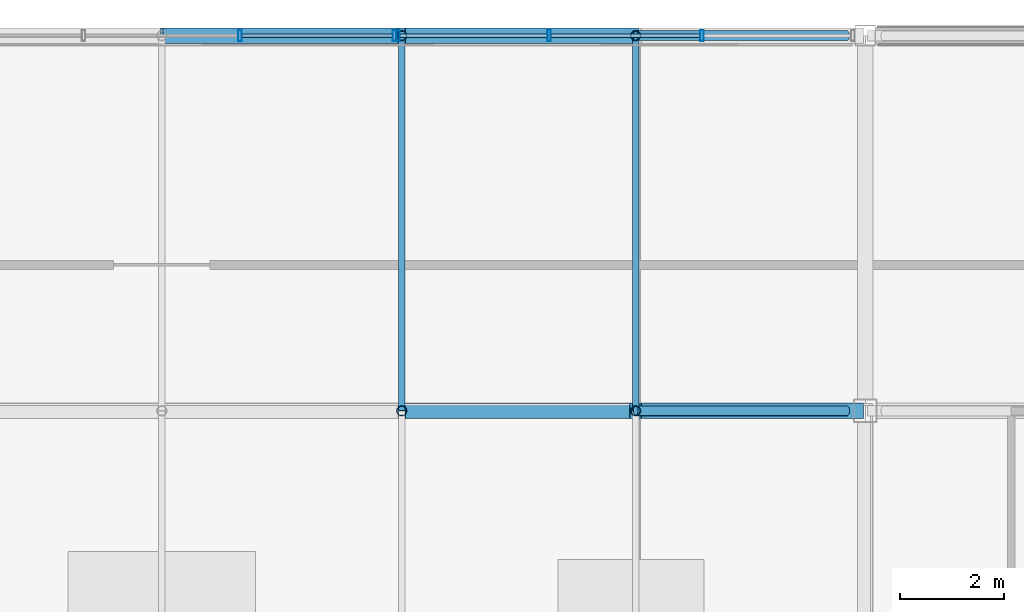
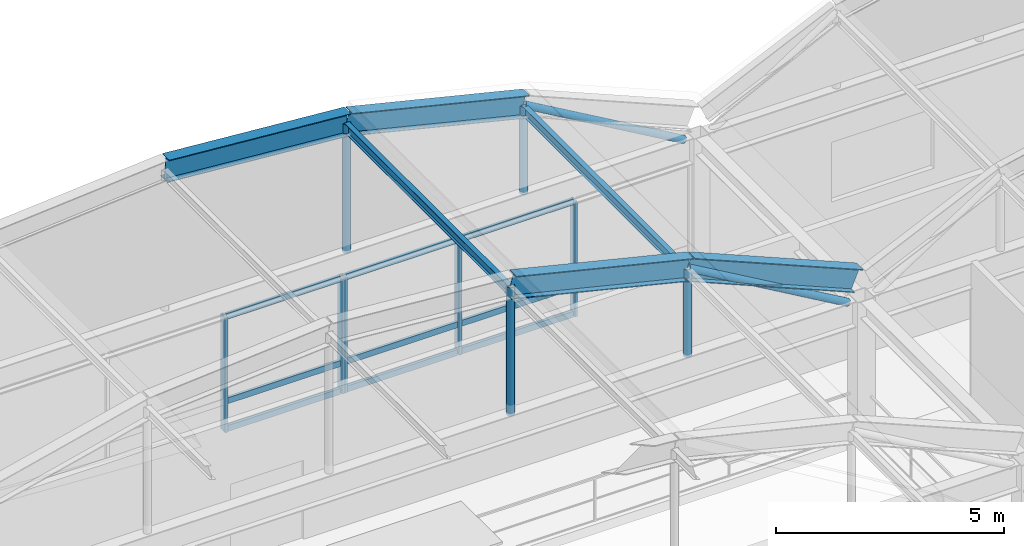
# One storey, part 66 of 106: 26 members, 2 elements without a shape of their own.
"""IFC4 building model written with IfcOpenShell, lengths in metres."""

from ifc_helpers import new_model, si_unit, direction, frame, origin, origin_2d, place, context, subcontext, project, spatial, hollow_rectangle, hollow_circle, i_section, extrude, material, material_profile, profile_set, type_object, element, aggregate, save


model = new_model("IFC4")

# Units and contexts
model_context = context("Model", 3, precision=1e-05, world=origin(), true_north=direction((0.0, 1.0)))
body_context = subcontext(model_context, "Body", "Model", "MODEL_VIEW")
ifc_project = project(units=[si_unit("LENGTHUNIT", "METRE"), si_unit("AREAUNIT", "SQUARE_METRE"), si_unit("VOLUMEUNIT", "CUBIC_METRE"), si_unit("PLANEANGLEUNIT", "RADIAN"), si_unit("MASSUNIT", "GRAM", prefix="KILO")], contexts=[model_context])

# Site, building, storey
site_placement = place(None, origin())
site = spatial("IfcSite", under=ifc_project, at=site_placement, CompositionType="ELEMENT")
building_placement = place(site_placement, origin())
building = spatial("IfcBuilding", under=site, at=building_placement, Name="Kazanami Central Library", CompositionType="ELEMENT")
storey_placement = place(building_placement, frame((0.0, 0.0, 12.800048828125)))
storey = spatial("IfcBuildingStorey", under=building, at=storey_placement, Name="L04", CompositionType="ELEMENT", Elevation=12.800048828125)

# Members
ifc_material_1 = material(Name="Steel SN490B (325 MPa)", Category="steel")
ifc_material_profile_1 = material_profile(ifc_material_1, i_section(OverallWidth=0.300048828125, OverallDepth=0.587890625, WebThickness=0.011962890625, FlangeThickness=0.02001953125, at=origin_2d()), Name="H-588x300x12x20")
ifc_profile_set_1 = profile_set([ifc_material_profile_1], Name="Steel SN490B (325 MPa)")
member_type_1 = type_object("IfcMemberType", Name="MEM-AR-01", PredefinedType="CHORD", material=ifc_profile_set_1)
for number, where, z_axis, x_axis, name in (
    (1, (81.104248046875, 86.39990234375, 7.181640625), (0.971622638672, 0.0, -0.236536356656), (0.0, 1.0, 0.0), "Barrel Vault Arch Rib AR-01 VAULT-MAIN Grid N Seg 5"),
    (2, (85.592041015625, 86.39990234375, 6.089111328125), (0.921854112797, 0.0, -0.387537088185), (0.0, 1.0, 0.0), "Barrel Vault Arch Rib AR-01 VAULT-MAIN Grid N Seg 6"),
    (3, (76.5, 93.60009765625, 7.549072265625), (0.99683088961, 0.0, -0.079549842985), (0.0, 1.0, 0.0), "Barrel Vault Arch Rib AR-01 VAULT-MAIN Grid O Seg 4"),
    (4, (81.104248046875, 93.60009765625, 7.181640625), (0.971622638672, 0.0, -0.236536356656), (0.0, 1.0, 0.0), "Barrel Vault Arch Rib AR-01 VAULT-MAIN Grid O Seg 5"),
):
    element("IfcMember", number, at=place(storey_placement, frame(where, z_axis=z_axis, x_axis=x_axis)), inside=storey, type_object=member_type_1, Name=name, PredefinedType="CHORD", context=body_context, shape_type="SweptSolid", body=[
        extrude(i_section(OverallWidth=0.300048828125, OverallDepth=0.587890625, WebThickness=0.011962890625, FlangeThickness=0.02001953125, at=origin_2d()), origin(), (0.0, 0.0, 1.0), 4.618896484375),
    ])

# Curtain wall, members
ifc_material_2 = material(Name="Acid-Etched Low-E Laminated Glass", Category="glass")
curtain_wall_type_1 = type_object("IfcCurtainWallType", Name="CW-9000x3080-M275", PredefinedType="USERDEFINED", material=ifc_material_2)
curtain_wall_1_placement = place(storey_placement, origin())
curtain_wall_1 = element("IfcCurtainWall", 5, at=curtain_wall_1_placement, inside=storey, type_object=curtain_wall_type_1, Name="Unitised Curtain Wall CW-41 L04 N-O-08", ObjectType="UNITISED CURTAIN WALL", PredefinedType="USERDEFINED")
ifc_material_3 = material(Name="Anodised Aluminium A6063-T5", Category="aluminium")
ifc_material_profile_2 = material_profile(ifc_material_3, hollow_rectangle(XDim=0.070068359375, YDim=0.2099609375, WallThickness=0.0048828125, at=origin_2d()), Name="ALU-MULL-70x210x5")
ifc_profile_set_2 = profile_set([ifc_material_profile_2], Name="Anodised Aluminium A6063-T5")
member_type_2 = type_object("IfcMemberType", Name="MEM-CW-M1", PredefinedType="MULLION", material=ifc_profile_set_2)
member_1_placement = place(storey_placement, frame((80.965087890625, 93.60009765625, 0.0), z_axis=(0.0, 0.0, 1.0), x_axis=(-1.0, 0.0, 0.0)))
member_1 = element("IfcMember", 6, at=member_1_placement, type_object=member_type_2, Name="CW-41 mullion 1", PredefinedType="MULLION", context=body_context, shape_type="SweptSolid", body=[
    extrude(hollow_rectangle(XDim=0.070068359375, YDim=0.2099609375, WallThickness=0.0048828125, at=origin_2d()), origin(), (0.0, 0.0, 1.0), 3.079833984375),
])
member_2_placement = place(storey_placement, frame((78.0, 93.60009765625, 0.0), z_axis=(0.0, 0.0, 1.0), x_axis=(-1.0, 0.0, 0.0)))
member_2 = element("IfcMember", 7, at=member_2_placement, type_object=member_type_2, Name="CW-41 mullion 2", PredefinedType="MULLION", context=body_context, shape_type="SweptSolid", body=[
    extrude(hollow_rectangle(XDim=0.070068359375, YDim=0.2099609375, WallThickness=0.0048828125, at=origin_2d()), origin(), (0.0, 0.0, 1.0), 3.079833984375),
])

curtain_wall_type_2 = type_object("IfcCurtainWallType", Name="CW-8800x3080-M275", PredefinedType="USERDEFINED", material=ifc_material_2)
curtain_wall_2_placement = place(storey_placement, origin())
curtain_wall_2 = element("IfcCurtainWall", 8, at=curtain_wall_2_placement, inside=storey, type_object=curtain_wall_type_2, Name="Unitised Curtain Wall CW-42 L04 N-O-09", ObjectType="UNITISED CURTAIN WALL", PredefinedType="USERDEFINED")
member_3_placement = place(storey_placement, frame((86.86669921875, 93.60009765625, 0.0), z_axis=(0.0, 0.0, 1.0), x_axis=(-1.0, 0.0, 0.0)))
member_3 = element("IfcMember", 9, at=member_3_placement, type_object=member_type_2, Name="CW-42 mullion 2", PredefinedType="MULLION", context=body_context, shape_type="SweptSolid", body=[
    extrude(hollow_rectangle(XDim=0.070068359375, YDim=0.2099609375, WallThickness=0.0048828125, at=origin_2d()), origin(), (0.0, 0.0, 1.0), 3.079833984375),
])
member_4_placement = place(storey_placement, frame((83.933349609375, 93.60009765625, 0.0), z_axis=(0.0, 0.0, 1.0), x_axis=(-1.0, 0.0, 0.0)))
member_4 = element("IfcMember", 10, at=member_4_placement, type_object=member_type_2, Name="CW-42 mullion 3", PredefinedType="MULLION", context=body_context, shape_type="SweptSolid", body=[
    extrude(hollow_rectangle(XDim=0.070068359375, YDim=0.2099609375, WallThickness=0.0048828125, at=origin_2d()), origin(), (0.0, 0.0, 1.0), 3.079833984375),
])
member_5_placement = place(storey_placement, frame((81.034912109375, 93.60009765625, 0.0), z_axis=(0.0, 0.0, 1.0), x_axis=(-1.0, 0.0, 0.0)))
member_5 = element("IfcMember", 11, at=member_5_placement, type_object=member_type_2, Name="CW-42 mullion 4", PredefinedType="MULLION", context=body_context, shape_type="SweptSolid", body=[
    extrude(hollow_rectangle(XDim=0.070068359375, YDim=0.2099609375, WallThickness=0.0048828125, at=origin_2d()), origin(), (0.0, 0.0, 1.0), 3.079833984375),
])

# Member
ifc_material_profile_3 = material_profile(ifc_material_3, hollow_rectangle(XDim=0.070068359375, YDim=0.159912109375, WallThickness=0.00390625, at=origin_2d()), Name="ALU-TRAN-70x160x4")
ifc_profile_set_3 = profile_set([ifc_material_profile_3], Name="Anodised Aluminium A6063-T5")
member_type_3 = type_object("IfcMemberType", Name="MEM-CW-T1", PredefinedType="USERDEFINED", material=ifc_profile_set_3)
member_6_placement = place(storey_placement, frame((80.929931640625, 93.60009765625, 0.034912109375), z_axis=(-1.0, 0.0, 0.0), x_axis=(0.0, -1.0, 0.0)))
member_6 = element("IfcMember", 12, at=member_6_placement, type_object=member_type_3, Name="CW-41 transom 1.1", ObjectType="TRANSOM", PredefinedType="USERDEFINED", context=body_context, shape_type="SweptSolid", body=[
    extrude(hollow_rectangle(XDim=0.070068359375, YDim=0.159912109375, WallThickness=0.00390625, at=origin_2d()), origin(), (0.0, 0.0, 1.0), 2.89501953125),
])

member_7_placement = place(storey_placement, frame((80.929931640625, 93.60009765625, 0.780029296875), z_axis=(-1.0, 0.0, 0.0), x_axis=(0.0, -1.0, 0.0)))
member_7 = element("IfcMember", 13, at=member_7_placement, type_object=member_type_3, Name="CW-41 transom 1.2", ObjectType="TRANSOM", PredefinedType="USERDEFINED", context=body_context, shape_type="SweptSolid", body=[
    extrude(hollow_rectangle(XDim=0.070068359375, YDim=0.159912109375, WallThickness=0.00390625, at=origin_2d()), origin(), (0.0, 0.0, 1.0), 2.89501953125),
])

member_8_placement = place(storey_placement, frame((80.929931640625, 93.60009765625, 3.044921875), z_axis=(-1.0, 0.0, 0.0), x_axis=(0.0, -1.0, 0.0)))
member_8 = element("IfcMember", 14, at=member_8_placement, type_object=member_type_3, Name="CW-41 transom 1.3", ObjectType="TRANSOM", PredefinedType="USERDEFINED", context=body_context, shape_type="SweptSolid", body=[
    extrude(hollow_rectangle(XDim=0.070068359375, YDim=0.159912109375, WallThickness=0.00390625, at=origin_2d()), origin(), (0.0, 0.0, 1.0), 2.89501953125),
])

aggregate(curtain_wall_1, [member_1, member_2, member_6, member_7, member_8])

member_9_placement = place(storey_placement, frame((86.831787109375, 93.60009765625, 0.034912109375), z_axis=(-1.0, 0.0, 0.0), x_axis=(0.0, -1.0, 0.0)))
member_9 = element("IfcMember", 15, at=member_9_placement, type_object=member_type_3, Name="CW-42 transom 2.1", ObjectType="TRANSOM", PredefinedType="USERDEFINED", context=body_context, shape_type="SweptSolid", body=[
    extrude(hollow_rectangle(XDim=0.070068359375, YDim=0.159912109375, WallThickness=0.00390625, at=origin_2d()), origin(), (0.0, 0.0, 1.0), 2.863525390625),
])

member_10_placement = place(storey_placement, frame((86.831787109375, 93.60009765625, 0.780029296875), z_axis=(-1.0, 0.0, 0.0), x_axis=(0.0, -1.0, 0.0)))
member_10 = element("IfcMember", 16, at=member_10_placement, type_object=member_type_3, Name="CW-42 transom 2.2", ObjectType="TRANSOM", PredefinedType="USERDEFINED", context=body_context, shape_type="SweptSolid", body=[
    extrude(hollow_rectangle(XDim=0.070068359375, YDim=0.159912109375, WallThickness=0.00390625, at=origin_2d()), origin(), (0.0, 0.0, 1.0), 2.863525390625),
])

member_11_placement = place(storey_placement, frame((86.831787109375, 93.60009765625, 3.044921875), z_axis=(-1.0, 0.0, 0.0), x_axis=(0.0, -1.0, 0.0)))
member_11 = element("IfcMember", 17, at=member_11_placement, type_object=member_type_3, Name="CW-42 transom 2.3", ObjectType="TRANSOM", PredefinedType="USERDEFINED", context=body_context, shape_type="SweptSolid", body=[
    extrude(hollow_rectangle(XDim=0.070068359375, YDim=0.159912109375, WallThickness=0.00390625, at=origin_2d()), origin(), (0.0, 0.0, 1.0), 2.863525390625),
])

member_12_placement = place(storey_placement, frame((83.8984375, 93.60009765625, 0.034912109375), z_axis=(-1.0, 0.0, 0.0), x_axis=(0.0, -1.0, 0.0)))
member_12 = element("IfcMember", 18, at=member_12_placement, type_object=member_type_3, Name="CW-42 transom 3.1", ObjectType="TRANSOM", PredefinedType="USERDEFINED", context=body_context, shape_type="SweptSolid", body=[
    extrude(hollow_rectangle(XDim=0.070068359375, YDim=0.159912109375, WallThickness=0.00390625, at=origin_2d()), origin(), (0.0, 0.0, 1.0), 2.828369140625),
])

member_13_placement = place(storey_placement, frame((83.8984375, 93.60009765625, 0.780029296875), z_axis=(-1.0, 0.0, 0.0), x_axis=(0.0, -1.0, 0.0)))
member_13 = element("IfcMember", 19, at=member_13_placement, type_object=member_type_3, Name="CW-42 transom 3.2", ObjectType="TRANSOM", PredefinedType="USERDEFINED", context=body_context, shape_type="SweptSolid", body=[
    extrude(hollow_rectangle(XDim=0.070068359375, YDim=0.159912109375, WallThickness=0.00390625, at=origin_2d()), origin(), (0.0, 0.0, 1.0), 2.828369140625),
])

member_14_placement = place(storey_placement, frame((83.8984375, 93.60009765625, 3.044921875), z_axis=(-1.0, 0.0, 0.0), x_axis=(0.0, -1.0, 0.0)))
member_14 = element("IfcMember", 20, at=member_14_placement, type_object=member_type_3, Name="CW-42 transom 3.3", ObjectType="TRANSOM", PredefinedType="USERDEFINED", context=body_context, shape_type="SweptSolid", body=[
    extrude(hollow_rectangle(XDim=0.070068359375, YDim=0.159912109375, WallThickness=0.00390625, at=origin_2d()), origin(), (0.0, 0.0, 1.0), 2.828369140625),
])

aggregate(curtain_wall_2, [member_3, member_4, member_5, member_9, member_10, member_11, member_12, member_13, member_14])

# Members
ifc_material_4 = material(Name="Steel SN400B (235 MPa)", Category="steel")
ifc_material_profile_4 = material_profile(ifc_material_4, i_section(OverallWidth=0.125, OverallDepth=0.25, WebThickness=0.006103515625, FlangeThickness=0.009033203125, at=origin_2d()), Name="H-250x125x6x9")
ifc_profile_set_4 = profile_set([ifc_material_profile_4], Name="Steel SN400B (235 MPa)")
member_type_4 = type_object("IfcMemberType", Name="MEM-PUR-250", PredefinedType="PURLIN", material=ifc_profile_set_4)
for number, where, z_axis, x_axis, name in (
    (21, (81.104248046875, 86.405029296875, 7.041748046875), (0.0, 1.0, 0.0), (-1.0, 0.0, 0.0), "Barrel Vault Longitudinal Purlin VAULT-MAIN Knuckle 4.4"),
    (22, (85.592041015625, 86.405029296875, 5.94921875), (0.0, 1.0, 0.0), (-1.0, 0.0, 0.0), "Barrel Vault Longitudinal Purlin VAULT-MAIN Knuckle 5.4"),
):
    element("IfcMember", number, at=place(storey_placement, frame(where, z_axis=z_axis, x_axis=x_axis)), inside=storey, type_object=member_type_4, Name=name, PredefinedType="PURLIN", context=body_context, shape_type="SweptSolid", body=[
        extrude(i_section(OverallWidth=0.125, OverallDepth=0.25, WebThickness=0.006103515625, FlangeThickness=0.009033203125, at=origin_2d()), origin(), (0.0, 0.0, 1.0), 7.18994140625),
    ])
ifc_material_5 = material(Name="Steel STK490 (315 MPa)", Category="steel")
ifc_material_profile_5 = material_profile(ifc_material_5, hollow_circle(Radius=0.095458984375, WallThickness=0.007080078125, at=origin_2d()), Name="CHS-190.7x7.0")
ifc_profile_set_5 = profile_set([ifc_material_profile_5], Name="Steel STK490 (315 MPa)")
member_type_5 = type_object("IfcMemberType", Name="MEM-VST-190", PredefinedType="STRUT", material=ifc_profile_set_5)
member_15_placement = place(storey_placement, frame((81.104248046875, 86.39990234375, 3.71484375), z_axis=(0.0, 0.0, 1.0), x_axis=(1.0, 0.0, 0.0)))
element("IfcMember", 23, at=member_15_placement, inside=storey, type_object=member_type_5, Name="Barrel Vault Tied-Arch Web Strut VAULT-MAIN Grid N Knuckle 4", PredefinedType="STRUT", context=body_context, shape_type="SweptSolid", body=[
    extrude(hollow_circle(Radius=0.095458984375, WallThickness=0.007080078125, at=origin_2d()), origin(), (0.0, 0.0, 1.0), 3.44677734375),
])
member_16_placement = place(storey_placement, frame((85.592041015625, 86.39990234375, 3.71484375), z_axis=(0.0, 0.0, 1.0), x_axis=(1.0, 0.0, 0.0)))
element("IfcMember", 24, at=member_16_placement, inside=storey, type_object=member_type_5, Name="Barrel Vault Tied-Arch Web Strut VAULT-MAIN Grid N Knuckle 5", PredefinedType="STRUT", context=body_context, shape_type="SweptSolid", body=[
    extrude(hollow_circle(Radius=0.095458984375, WallThickness=0.007080078125, at=origin_2d()), origin(), (0.0, 0.0, 1.0), 2.354248046875),
])
member_17_placement = place(storey_placement, frame((89.64990234375, 86.39990234375, 3.71484375), z_axis=(-0.864967490529, 0.0, 0.501827899114), x_axis=(0.0, -1.0, 0.0)))
element("IfcMember", 25, at=member_17_placement, inside=storey, type_object=member_type_5, Name="Barrel Vault Tied-Arch Diagonal VAULT-MAIN Grid N (R)", PredefinedType="BRACE", context=body_context, shape_type="SweptSolid", body=[
    extrude(hollow_circle(Radius=0.095458984375, WallThickness=0.007080078125, at=origin_2d()), origin(), (0.0, 0.0, 1.0), 4.69140625),
])
member_18_placement = place(storey_placement, frame((81.104248046875, 93.60009765625, 3.71484375), z_axis=(0.0, 0.0, 1.0), x_axis=(1.0, 0.0, 0.0)))
element("IfcMember", 26, at=member_18_placement, inside=storey, type_object=member_type_5, Name="Barrel Vault Tied-Arch Web Strut VAULT-MAIN Grid O Knuckle 4", PredefinedType="STRUT", context=body_context, shape_type="SweptSolid", body=[
    extrude(hollow_circle(Radius=0.095458984375, WallThickness=0.007080078125, at=origin_2d()), origin(), (0.0, 0.0, 1.0), 3.44677734375),
])
member_19_placement = place(storey_placement, frame((85.592041015625, 93.60009765625, 3.71484375), z_axis=(0.0, 0.0, 1.0), x_axis=(1.0, 0.0, 0.0)))
element("IfcMember", 27, at=member_19_placement, inside=storey, type_object=member_type_5, Name="Barrel Vault Tied-Arch Web Strut VAULT-MAIN Grid O Knuckle 5", PredefinedType="STRUT", context=body_context, shape_type="SweptSolid", body=[
    extrude(hollow_circle(Radius=0.095458984375, WallThickness=0.007080078125, at=origin_2d()), origin(), (0.0, 0.0, 1.0), 2.354248046875),
])
member_20_placement = place(storey_placement, frame((89.64990234375, 93.60009765625, 3.71484375), z_axis=(-0.864967490529, 0.0, 0.501827899114), x_axis=(0.0, -1.0, 0.0)))
element("IfcMember", 28, at=member_20_placement, inside=storey, type_object=member_type_5, Name="Barrel Vault Tied-Arch Diagonal VAULT-MAIN Grid O (R)", PredefinedType="BRACE", context=body_context, shape_type="SweptSolid", body=[
    extrude(hollow_circle(Radius=0.095458984375, WallThickness=0.007080078125, at=origin_2d()), origin(), (0.0, 0.0, 1.0), 4.69140625),
])

save(model, "model.ifc")
